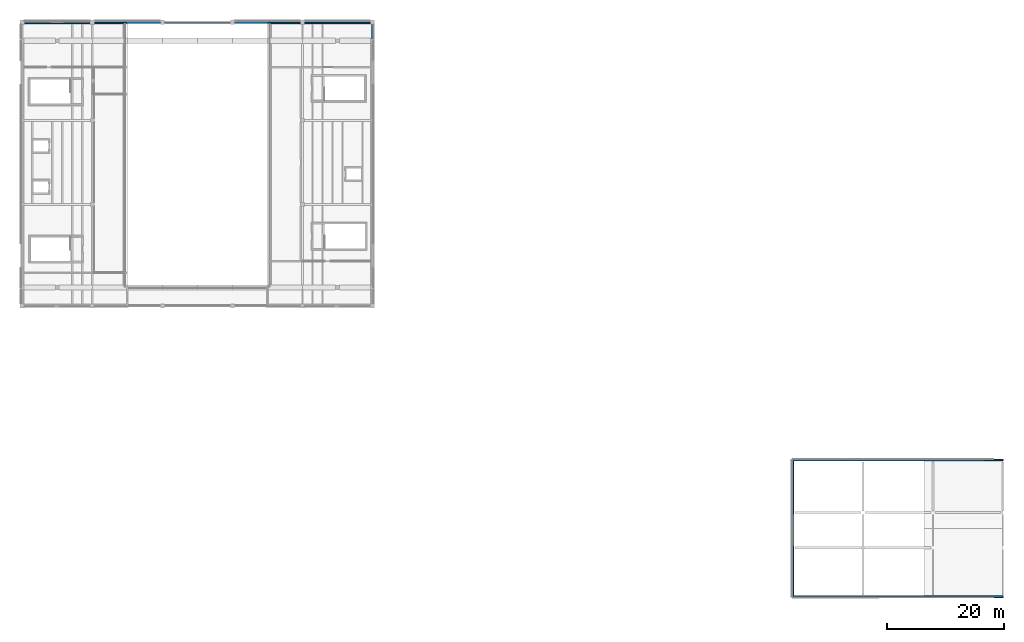
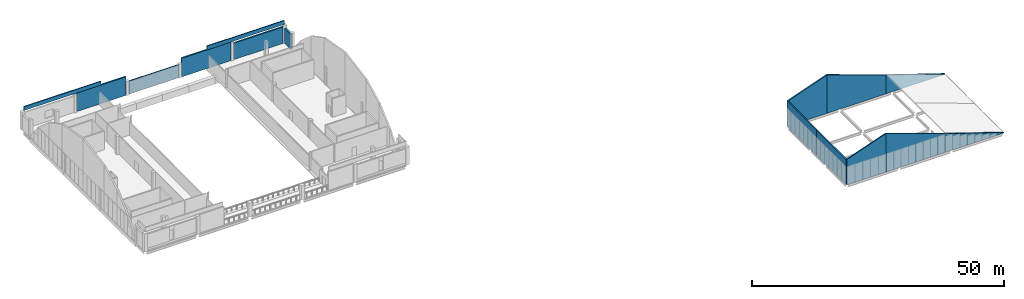
# One storey, part 5 of 7: 15 walls.
"""IFC4 building model written with IfcOpenShell, lengths in metres."""

import ifcopenshell
import ifcopenshell.guid

model = None  # the IFC model being written
_history = None  # IfcOwnerHistory: only IFC2X3 demands one
_inside = {}  # id of a spatial element -> (the spatial element, [elements in it])
_under = {}  # id of a project, library or spatial element -> (it, [spatial elements below it])
_declared = {}  # id of a project -> (the project, [libraries it declares])
_typed = {}  # id of a type object -> (the type object, [elements of that type])
_made_of = {}  # id of a material, layer set ... -> (it, [elements and type objects made of it])


def new_model(schema):
    """Start an empty IFC model of exactly this schema.

    Asked for "IFC4X3", IfcOpenShell would pick the latest addendum, in which some entities
    have other attributes; the version numbers below select the first issue.
    IFC2X3 requires an IfcOwnerHistory on every rooted entity: one is made here for all.
    """
    global model, _history
    if schema == "IFC4X3":
        model = ifcopenshell.file(schema_version=(4, 3, 0, 0))
    else:
        model = ifcopenshell.file(schema=schema)
    _inside.clear()
    _under.clear()
    _declared.clear()
    _typed.clear()
    _made_of.clear()
    _history = None
    if model.schema == "IFC2X3":
        org = make("IfcOrganization", Name="unknown")
        user = make(
            "IfcPersonAndOrganization",
            ThePerson=make("IfcPerson", FamilyName="unknown"),
            TheOrganization=org,
        )
        app = make(
            "IfcApplication",
            ApplicationDeveloper=org,
            Version="unknown",
            ApplicationFullName="unknown",
            ApplicationIdentifier="unknown",
        )
        _history = make(
            "IfcOwnerHistory",
            OwningUser=user,
            OwningApplication=app,
            ChangeAction="ADDED",
            CreationDate=0,
        )
    return model


def make(cls, **values):
    """One entity of the class cls with the attributes given. An attribute that is None is left unset."""
    return model.create_entity(
        cls, **{name: value for name, value in values.items() if value is not None}
    )


def rooted(cls, **values):
    """An entity with a GlobalId (a new one), such as an element, a storey or a relation."""
    return make(cls, GlobalId=ifcopenshell.guid.new(), OwnerHistory=_history, **values)


def si_unit(unit_type, name, prefix=None):
    """IfcSIUnit, for example si_unit("LENGTHUNIT", "METRE", prefix="MILLI")."""
    return make("IfcSIUnit", UnitType=unit_type, Prefix=prefix, Name=name)


def assignment(units):
    """IfcUnitAssignment: the units of a project."""
    return None if units is None else make("IfcUnitAssignment", Units=units)


def point(xyz):
    """IfcCartesianPoint."""
    return None if xyz is None else make("IfcCartesianPoint", Coordinates=xyz)


def direction(xyz):
    """IfcDirection."""
    return None if xyz is None else make("IfcDirection", DirectionRatios=xyz)


def frame(location, z_axis=None, x_axis=None):
    """IfcAxis2Placement3D, a coordinate frame: its origin and axes. An axis left out is left unset."""
    return make(
        "IfcAxis2Placement3D",
        Location=point(location),
        Axis=direction(z_axis),
        RefDirection=direction(x_axis),
    )


def frame_2d(location, x_axis=None):
    """IfcAxis2Placement2D, a coordinate frame in the plane: its origin and x axis."""
    return make(
        "IfcAxis2Placement2D", Location=point(location), RefDirection=direction(x_axis)
    )


def origin():
    """The frame at (0, 0, 0) with its axes left unset."""
    return frame((0.0, 0.0, 0.0))


def place(relative_to, where):
    """IfcLocalPlacement: puts the frame where relative to a parent placement (None: the world)."""
    return make(
        "IfcLocalPlacement", PlacementRelTo=relative_to, RelativePlacement=where
    )


def context(
    kind, dimensions, precision=None, world=None, true_north=None, identifier=None
):
    """IfcGeometricRepresentationContext, for example the 3D "Model" context."""
    return make(
        "IfcGeometricRepresentationContext",
        ContextIdentifier=identifier,
        ContextType=kind,
        CoordinateSpaceDimension=dimensions,
        Precision=precision,
        WorldCoordinateSystem=world,
        TrueNorth=true_north,
    )


def subcontext(parent, identifier, kind, view, scale=None):
    """IfcGeometricRepresentationSubContext, for example "Body" below "Model"."""
    return make(
        "IfcGeometricRepresentationSubContext",
        ContextIdentifier=identifier,
        ContextType=kind,
        ParentContext=parent,
        TargetScale=scale,
        TargetView=view,
    )


def project(units=None, contexts=None):
    """IfcProject with its units and contexts."""
    return rooted(
        "IfcProject",
        Name="project",
        RepresentationContexts=contexts,
        UnitsInContext=assignment(units),
    )


def spatial(cls, under=None, at=None, **own):
    """A site, building, storey or space (cls), placed at a placement, below another one or the project."""
    s = rooted(cls, ObjectPlacement=at, **own)
    if under is not None:
        _under.setdefault(under.id(), (under, []))[1].append(s)
    return s


def polyline(points):
    """IfcPolyline through the points."""
    return make("IfcPolyline", Points=[point(p) for p in points])


def profile(cls, at=None, kind="AREA", **sizes):
    """A parametric profile (cls). Its sizes go by their IFC names, for example OverallWidth=200.0."""
    return make(cls, ProfileType=kind, Position=at, **sizes)


def rectangle(**sizes):
    """IfcRectangleProfileDef."""
    return profile("IfcRectangleProfileDef", **sizes)


def outline(outer, holes=None, kind="AREA"):
    """IfcArbitraryClosedProfileDef: a profile drawn as a closed curve; with holes, ...WithVoids."""
    if holes is None:
        return make("IfcArbitraryClosedProfileDef", ProfileType=kind, OuterCurve=outer)
    return make(
        "IfcArbitraryProfileDefWithVoids",
        ProfileType=kind,
        OuterCurve=outer,
        InnerCurves=holes,
    )


def extrude(swept, where, along, depth):
    """IfcExtrudedAreaSolid: the profile swept, set in the frame where, extruded along a direction by depth."""
    return make(
        "IfcExtrudedAreaSolid",
        SweptArea=swept,
        Position=where,
        ExtrudedDirection=direction(along),
        Depth=depth,
    )


def shape(context_of_items, identifier, shape_type, items):
    """IfcShapeRepresentation: the items that make up one representation, for example the "Body"."""
    return make(
        "IfcShapeRepresentation",
        ContextOfItems=context_of_items,
        RepresentationIdentifier=identifier,
        RepresentationType=shape_type,
        Items=items,
    )


def material(Name=None, Category=None):
    """IfcMaterial."""
    return make("IfcMaterial", Name=Name, Category=Category)


def layer(
    of_material, thickness, ventilated=None, Name=None, Category=None, Priority=None
):
    """IfcMaterialLayer: one layer of a wall or slab, of a material (None: an air gap)."""
    return make(
        "IfcMaterialLayer",
        Material=of_material,
        LayerThickness=thickness,
        IsVentilated=ventilated,
        Name=Name,
        Category=Category,
        Priority=Priority,
    )


def layer_set(layers, Name=None):
    """IfcMaterialLayerSet."""
    return make("IfcMaterialLayerSet", MaterialLayers=layers, LayerSetName=Name)


def made_of(thing, what):
    """Note that an element or type object is made of a material, layer set ...; save() writes the relation."""
    if what is not None:
        _made_of.setdefault(what.id(), (what, []))[1].append(thing)
    return thing


def type_object(cls, material=None, **own):
    """A type object (cls), such as IfcWallType, which elements share."""
    return made_of(rooted(cls, **own), material)


def element(
    cls,
    number,
    at=None,
    inside=None,
    cuts=None,
    type_object=None,
    material=None,
    context=None,
    identifier="Body",
    shape_type=None,
    held_by="IfcProductDefinitionShape",
    body=None,
    shapes=None,
    **own,
):
    """One element of the class cls, such as IfcWall. Its Tag is "e" and its number.

    at: its placement. inside: the storey or other place that contains it. cuts: it is an
    opening in that element (IfcRelVoidsElement). A single representation is given by context,
    identifier, shape_type and body (its items); several are given by shapes. held_by: the class
    of the entity that holds the representations. save() writes the other relations.
    """
    e = rooted(cls, Tag="e%d" % number, ObjectPlacement=at, **own)
    if body is not None:
        shapes = [shape(context, identifier, shape_type, body)]
    if shapes is not None:
        e.Representation = make(held_by, Representations=shapes)
    if inside is not None:
        _inside.setdefault(inside.id(), (inside, []))[1].append(e)
    if cuts is not None:
        rooted(
            "IfcRelVoidsElement", RelatingBuildingElement=cuts, RelatedOpeningElement=e
        )
    if type_object is not None:
        _typed.setdefault(type_object.id(), (type_object, []))[1].append(e)
    return made_of(e, material)


def aggregate(whole, parts):
    """IfcRelAggregates: a whole, such as a stair, and the parts it consists of."""
    return rooted("IfcRelAggregates", RelatingObject=whole, RelatedObjects=parts)


def save(model, path):
    """Write the relations noted so far, then the file.

    IfcRelAggregates (storeys below a building ...), IfcRelContainedInSpatialStructure (elements
    in a storey), IfcRelDefinesByType, IfcRelAssociatesMaterial and IfcRelDeclares: one each for
    every whole, place, type object, material and project.
    """
    for whole, parts in _under.values():
        aggregate(whole, parts)
    for where, things in _inside.values():
        rooted(
            "IfcRelContainedInSpatialStructure",
            RelatedElements=things,
            RelatingStructure=where,
        )
    for kind, things in _typed.values():
        rooted("IfcRelDefinesByType", RelatedObjects=things, RelatingType=kind)
    for what, things in _made_of.values():
        rooted("IfcRelAssociatesMaterial", RelatedObjects=things, RelatingMaterial=what)
    for by, libraries in _declared.values():
        rooted("IfcRelDeclares", RelatingContext=by, RelatedDefinitions=libraries)
    model.write(path)


model = new_model("IFC4")

# Units and contexts
model_context = context("Model", 3, precision=1e-05, world=origin(), true_north=direction((0.0, 1.0)))
body_context = subcontext(model_context, "Body", "Model", "MODEL_VIEW")
ifc_project = project(units=[si_unit("LENGTHUNIT", "METRE"), si_unit("AREAUNIT", "SQUARE_METRE"), si_unit("VOLUMEUNIT", "CUBIC_METRE"), si_unit("PLANEANGLEUNIT", "RADIAN"), si_unit("MASSUNIT", "GRAM", prefix="KILO")], contexts=[model_context])

# Site, building, storey
site_placement = place(None, origin())
site = spatial("IfcSite", under=ifc_project, at=site_placement, CompositionType="ELEMENT")
building_placement = place(site_placement, origin())
building = spatial("IfcBuilding", under=site, at=building_placement, Name="Kelmvaro Bay Concert Hall", CompositionType="ELEMENT")
storey_placement = place(building_placement, frame((0.0, 0.0, 22.199951171875)))
storey = spatial("IfcBuildingStorey", under=building, at=storey_placement, Name="L05", CompositionType="ELEMENT", Elevation=22.199951171875)

# Walls
ifc_material_1 = material(Name="Precast Concrete C40/50", Category="concrete")
ifc_layer_1 = layer(ifc_material_1, 0.219970703125)
ifc_layer_set_1 = layer_set([ifc_layer_1], Name="Precast Concrete C40/50")
wall_type_1 = type_object("IfcWallType", Name="Crown Mechanical Enclosure Wall 220", PredefinedType="SOLIDWALL", material=ifc_layer_set_1)
wall_1_placement = place(storey_placement, frame((35.64990234375, 114.0, 0.0), z_axis=(0.0, 0.0, 1.0), x_axis=(-1.0, 0.0, 0.0)))
element("IfcWall", 1, at=wall_1_placement, inside=storey, type_object=wall_type_1, Name="L05 Exterior Wall EW-L05-0090", PredefinedType="SOLIDWALL", context=body_context, shape_type="SweptSolid", body=[
    extrude(rectangle(XDim=11.2998046875, YDim=0.219970703125, at=frame_2d((5.64990234375, 0.0))), origin(), (0.0, 0.0, 1.0), 3.150146484375),
])
ifc_material_2 = material(Name="Precast Concrete C40/50", Category="concrete")
ifc_layer_2 = layer(ifc_material_2, 0.340087890625)
ifc_layer_set_2 = layer_set([ifc_layer_2], Name="Precast Concrete C40/50")
wall_type_2 = type_object("IfcWallType", Name="Main Hall Faceted Precast Wall 340", PredefinedType="SOLIDWALL", material=ifc_layer_set_2)
for number, where, z_axis, x_axis, name in (
    (2, (12.35009765625, 114.0, 0.0), (0.0, 0.0, 1.0), (1.0, 0.0, 0.0), "L05 Exterior Wall EW-L05-0083"),
    (3, (36.35009765625, 114.0, 0.0), (0.0, 0.0, 1.0), (1.0, 0.0, 0.0), "L05 Exterior Wall EW-L05-0084"),
):
    element("IfcWall", number, at=place(storey_placement, frame(where, z_axis=z_axis, x_axis=x_axis)), inside=storey, type_object=wall_type_2, Name=name, PredefinedType="SOLIDWALL", context=body_context, shape_type="SweptSolid", body=[
        extrude(rectangle(XDim=11.2998046875, YDim=0.340087890625, at=frame_2d((5.64990234375, 0.0))), origin(), (0.0, 0.0, 1.0), 4.5),
    ])
wall_2_placement = place(storey_placement, frame((48.35009765625, 114.0, 0.0), z_axis=(0.0, 0.0, 1.0), x_axis=(1.0, 0.0, 0.0)))
element("IfcWall", 4, at=wall_2_placement, inside=storey, type_object=wall_type_2, Name="L05 Exterior Wall EW-L05-0085", PredefinedType="SOLIDWALL", context=body_context, shape_type="SweptSolid", body=[
    extrude(rectangle(XDim=11.27490234375, YDim=0.340087890625, at=frame_2d((5.637451171875, 0.0))), origin(), (0.0, 0.0, 1.0), 3.97705078125),
])
ifc_material_3 = material(Name="Precast Concrete C40/50", Category="concrete")
ifc_layer_3 = layer(ifc_material_3, 0.280029296875)
ifc_layer_set_3 = layer_set([ifc_layer_3], Name="Precast Concrete C40/50")
wall_type_3 = type_object("IfcWallType", Name="Percussion Pavilion Precast Wall 280", PredefinedType="SOLIDWALL", material=ifc_layer_set_3)
for number, where, z_axis, x_axis, name in (
    (5, (132.0, 15.60009765625, 0.0), (0.0, 0.0, 1.0), (0.0, 1.0, 0.0), "L05 Raked Crystal Gable Wall EW-L05-0253"),
    (6, (132.0, 27.300048828125, 0.0), (0.0, 0.0, 1.0), (0.0, 1.0, 0.0), "L05 Raked Crystal Gable Wall EW-L05-0254"),
):
    element("IfcWall", number, at=place(storey_placement, frame(where, z_axis=z_axis, x_axis=x_axis)), inside=storey, type_object=wall_type_3, Name=name, PredefinedType="SOLIDWALL", context=body_context, shape_type="SweptSolid", body=[
        extrude(outline(polyline([(0.0, 0.0), (11.699951171875, 0.0), (11.699951171875, 6.14013671875), (0.0, 6.14013671875), (0.0, 0.0)])), frame((0.0, 0.14013671875, 0.0), z_axis=(0.0, -1.0, 0.0), x_axis=(1.0, 0.0, 0.0)), (0.0, 0.0, 1.0), 0.280029296875),
    ])
wall_3_placement = place(storey_placement, frame((168.0, 15.60009765625, 0.0), z_axis=(0.0, 0.0, 1.0), x_axis=(-1.0, 0.0, 0.0)))
element("IfcWall", 7, at=wall_3_placement, inside=storey, type_object=wall_type_3, Name="L05 Raked Crystal Gable Wall EW-L05-0255", PredefinedType="SOLIDWALL", context=body_context, shape_type="SweptSolid", body=[
    extrude(outline(polyline([(0.0, 0.0), (13.5, 0.0), (13.5, 4.545166015625), (0.0, 0.1201171875), (0.0, 0.0)])), frame((0.0, 0.14013671875, 0.0), z_axis=(0.0, -1.0, 0.0), x_axis=(1.0, 0.0, 0.0)), (0.0, 0.0, 1.0), 0.280029296875),
])
wall_4_placement = place(storey_placement, frame((154.5, 15.60009765625, 0.0), z_axis=(0.0, 0.0, 1.0), x_axis=(-1.0, 0.0, 0.0)))
element("IfcWall", 8, at=wall_4_placement, inside=storey, type_object=wall_type_3, Name="L05 Raked Crystal Gable Wall EW-L05-0256", PredefinedType="SOLIDWALL", context=body_context, shape_type="SweptSolid", body=[
    extrude(outline(polyline([(0.0, 0.0), (13.5, 0.0), (13.5, 9.325927734375), (0.0, 4.545166015625), (0.0, 0.0)])), frame((0.0, 0.14013671875, 0.0), z_axis=(0.0, -1.0, 0.0), x_axis=(1.0, 0.0, 0.0)), (0.0, 0.0, 1.0), 0.280029296875),
])
wall_5_placement = place(storey_placement, frame((141.0, 15.60009765625, 0.0), z_axis=(0.0, 0.0, 1.0), x_axis=(-1.0, 0.0, 0.0)))
element("IfcWall", 9, at=wall_5_placement, inside=storey, type_object=wall_type_3, Name="L05 Raked Crystal Gable Wall EW-L05-0257", PredefinedType="SOLIDWALL", context=body_context, shape_type="SweptSolid", body=[
    extrude(outline(polyline([(0.0, 0.0), (9.0, 0.0), (9.0, 6.14013671875), (0.0, 9.325927734375), (0.0, 0.0)])), frame((0.0, 0.14013671875, 0.0), z_axis=(0.0, -1.0, 0.0), x_axis=(1.0, 0.0, 0.0)), (0.0, 0.0, 1.0), 0.280029296875),
])
wall_6_placement = place(storey_placement, frame((132.0, 39.0, 0.0), z_axis=(0.0, 0.0, 1.0), x_axis=(1.0, 0.0, 0.0)))
element("IfcWall", 10, at=wall_6_placement, inside=storey, type_object=wall_type_3, Name="L05 Raked Crystal Gable Wall EW-L05-0258", PredefinedType="SOLIDWALL", context=body_context, shape_type="SweptSolid", body=[
    extrude(outline(polyline([(0.0, 0.0), (9.0, 0.0), (9.0, 9.325927734375), (0.0, 6.14013671875), (0.0, 0.0)])), frame((0.0, 0.14013671875, 0.0), z_axis=(0.0, -1.0, 0.0), x_axis=(1.0, 0.0, 0.0)), (0.0, 0.0, 1.0), 0.280029296875),
])
wall_7_placement = place(storey_placement, frame((141.0, 39.0, 0.0), z_axis=(0.0, 0.0, 1.0), x_axis=(1.0, 0.0, 0.0)))
element("IfcWall", 11, at=wall_7_placement, inside=storey, type_object=wall_type_3, Name="L05 Raked Crystal Gable Wall EW-L05-0259", PredefinedType="SOLIDWALL", context=body_context, shape_type="SweptSolid", body=[
    extrude(outline(polyline([(0.0, 0.0), (13.5, 0.0), (13.5, 4.545166015625), (0.0, 9.325927734375), (0.0, 0.0)])), frame((0.0, 0.14013671875, 0.0), z_axis=(0.0, -1.0, 0.0), x_axis=(1.0, 0.0, 0.0)), (0.0, 0.0, 1.0), 0.280029296875),
])
wall_8_placement = place(storey_placement, frame((154.5, 39.0, 0.0), z_axis=(0.0, 0.0, 1.0), x_axis=(1.0, 0.0, 0.0)))
element("IfcWall", 12, at=wall_8_placement, inside=storey, type_object=wall_type_3, Name="L05 Raked Crystal Gable Wall EW-L05-0260", PredefinedType="SOLIDWALL", context=body_context, shape_type="SweptSolid", body=[
    extrude(outline(polyline([(0.0, 0.0), (13.5, 0.0), (13.5, 0.1201171875), (0.0, 4.545166015625), (0.0, 0.0)])), frame((0.0, 0.14013671875, 0.0), z_axis=(0.0, -1.0, 0.0), x_axis=(1.0, 0.0, 0.0)), (0.0, 0.0, 1.0), 0.280029296875),
])
ifc_material_4 = material(Name="Precast Concrete C40/50", Category="concrete")
ifc_layer_4 = layer(ifc_material_4, 0.2099609375)
ifc_layer_set_4 = layer_set([ifc_layer_4], Name="Precast Concrete C40/50")
wall_type_4 = type_object("IfcWallType", Name="Terrace Perimeter Parapet Wall 210", PredefinedType="PARAPET", material=ifc_layer_set_4)
for number, where, z_axis, x_axis, name in (
    (13, (0.14990234375, 113.85009765625, 4.56005859375), (0.0, 0.0, 1.0), (1.0, 0.0, 0.0), "L05 Roof Parapet 05"),
    (14, (42.14990234375, 113.85009765625, 4.56005859375), (0.0, 0.0, 1.0), (1.0, 0.0, 0.0), "L05 Roof Parapet 06"),
):
    element("IfcWall", number, at=place(storey_placement, frame(where, z_axis=z_axis, x_axis=x_axis)), inside=storey, type_object=wall_type_4, Name=name, PredefinedType="PARAPET", context=body_context, shape_type="SweptSolid", body=[
        extrude(rectangle(XDim=17.7001953125, YDim=0.2099609375, at=frame_2d((8.85009765625, 0.0))), origin(), (0.0, 0.0, 1.0), 0.93994140625),
    ])
ifc_material_5 = material(Name="Precast Concrete C40/50", Category="concrete")
ifc_layer_5 = layer(ifc_material_5, 0.360107421875)
ifc_layer_set_5 = layer_set([ifc_layer_5], Name="Precast Concrete C40/50")
wall_type_5 = type_object("IfcWallType", Name="Travertine Acoustic Precast Wall 360", PredefinedType="SOLIDWALL", material=ifc_layer_set_5)
wall_9_placement = place(storey_placement, frame((60.0, 113.625, 0.0), z_axis=(0.0, 0.0, 1.0), x_axis=(0.0, -1.0, 0.0)))
element("IfcWall", 15, at=wall_9_placement, inside=storey, type_object=wall_type_5, Name="L05 Exterior Wall EW-L05-0094", PredefinedType="SOLIDWALL", context=body_context, shape_type="SweptSolid", body=[
    extrude(rectangle(XDim=2.47998046875, YDim=0.360107421875, at=frame_2d((1.239990234375, 0.0))), origin(), (0.0, 0.0, 1.0), 3.738037109375),
])

save(model, "model.ifc")
